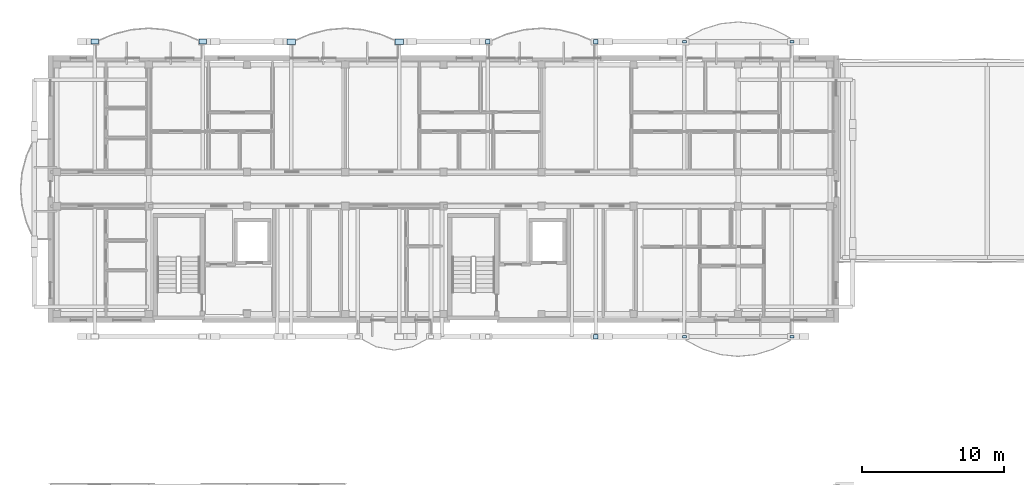
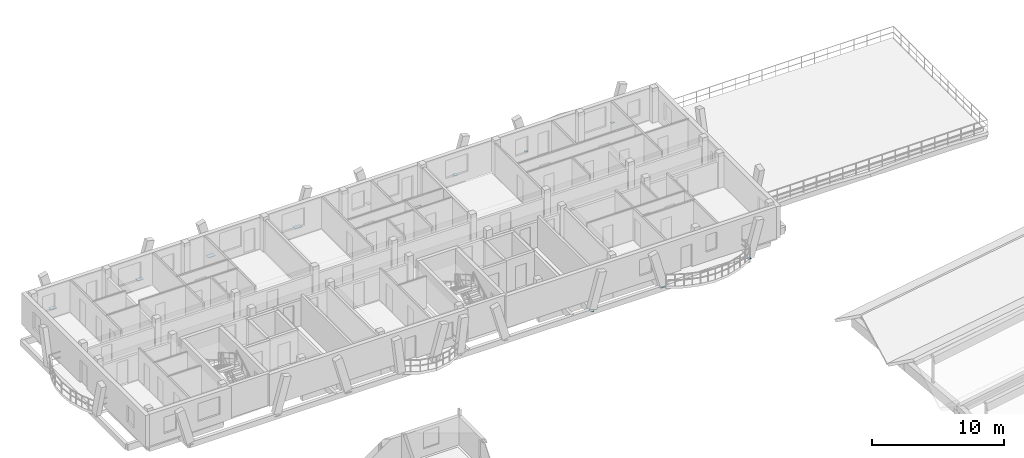
# One storey, part 60 of 109: 11 plates.
"""IFC4 building model written with IfcOpenShell, lengths in metres."""

from ifc_helpers import new_model, si_unit, direction, frame, origin, origin_2d, place, context, subcontext, project, spatial, rectangle, extrude, material, layer, layer_set, type_object, element, save


model = new_model("IFC4")

# Units and contexts
model_context = context("Model", 3, precision=1e-05, world=origin(), true_north=direction((0.0, 1.0)))
body_context = subcontext(model_context, "Body", "Model", "MODEL_VIEW")
ifc_project = project(units=[si_unit("LENGTHUNIT", "METRE"), si_unit("AREAUNIT", "SQUARE_METRE"), si_unit("VOLUMEUNIT", "CUBIC_METRE"), si_unit("PLANEANGLEUNIT", "RADIAN"), si_unit("MASSUNIT", "GRAM", prefix="KILO")], contexts=[model_context])

# Site, building, storey
site_placement = place(None, origin())
site = spatial("IfcSite", under=ifc_project, at=site_placement, CompositionType="ELEMENT")
building_placement = place(site_placement, origin())
building = spatial("IfcBuilding", under=site, at=building_placement, Name="Zavelmont Quarter", CompositionType="ELEMENT")
storey_placement = place(building_placement, frame((0.0, 0.0, 8.0)))
storey = spatial("IfcBuildingStorey", under=building, at=storey_placement, Name="L02", CompositionType="ELEMENT", Elevation=8.0)

# Plates
ifc_material = material(Name="Steel S355", Category="steel")
ifc_layer_1 = layer(ifc_material, 0.02001953125)
ifc_layer_set_1 = layer_set([ifc_layer_1], Name="Steel S355")
plate_type_1 = type_object("IfcPlateType", Name="NP01", PredefinedType="SHEET", material=ifc_layer_set_1)
for number, where, z_axis, x_axis, name in (
    (1, (44.525634765625, 117.162109375, -0.2099609375), (0.0, 0.0, 1.0), (1.0, 0.0, 0.0), "L02 steel connection plate NP01 at 7/S"),
    (2, (52.07421875, 117.162109375, -0.2099609375), (0.0, 0.0, 1.0), (1.0, 0.0, 0.0), "L02 steel connection plate NP01 at 9/S"),
    (3, (44.525634765625, 96.43798828125, -0.2099609375), (0.0, 0.0, 1.0), (1.0, 0.0, 0.0), "L02 steel connection plate NP01 at 7/P"),
    (4, (52.07421875, 96.43798828125, -0.2099609375), (0.0, 0.0, 1.0), (1.0, 0.0, 0.0), "L02 steel connection plate NP01 at 9/P"),
):
    element("IfcPlate", number, at=place(storey_placement, frame(where, z_axis=z_axis, x_axis=x_axis)), inside=storey, type_object=plate_type_1, Name=name, PredefinedType="SHEET", context=body_context, shape_type="SweptSolid", body=[
        extrude(rectangle(XDim=0.280029296875, YDim=0.179931640625, at=origin_2d()), origin(), (0.0, 0.0, 1.0), 0.02001953125),
    ])
ifc_layer_2 = layer(ifc_material, 0.028076171875)
ifc_layer_set_2 = layer_set([ifc_layer_2], Name="Steel S355")
plate_type_2 = type_object("IfcPlateType", Name="NP04", PredefinedType="SHEET", material=ifc_layer_set_2)
for number, where, z_axis, x_axis, name in (
    (5, (3.103759765625, 117.162109375, -0.2138671875), (0.0, 0.0, 1.0), (1.0, 0.0, 0.0), "L02 steel connection plate NP04 at 1/S"),
    (6, (10.6962890625, 117.162109375, -0.2138671875), (0.0, 0.0, 1.0), (1.0, 0.0, 0.0), "L02 steel connection plate NP04 at 3/S"),
):
    element("IfcPlate", number, at=place(storey_placement, frame(where, z_axis=z_axis, x_axis=x_axis)), inside=storey, type_object=plate_type_2, Name=name, PredefinedType="SHEET", context=body_context, shape_type="SweptSolid", body=[
        extrude(rectangle(XDim=0.52001953125, YDim=0.360107421875, at=origin_2d()), origin(), (0.0, 0.0, 1.0), 0.028076171875),
    ])
ifc_layer_3 = layer(ifc_material, 0.030029296875)
ifc_layer_set_3 = layer_set([ifc_layer_3], Name="Steel S355")
plate_type_3 = type_object("IfcPlateType", Name="NP05", PredefinedType="SHEET", material=ifc_layer_set_3)
for number, where, z_axis, x_axis, name in (
    (7, (16.90380859375, 117.162109375, -0.21484375), (0.0, 0.0, 1.0), (1.0, 0.0, 0.0), "L02 steel connection plate NP05 at 3/S"),
    (8, (24.49609375, 117.162109375, -0.21484375), (0.0, 0.0, 1.0), (1.0, 0.0, 0.0), "L02 steel connection plate NP05 at 5/S"),
):
    element("IfcPlate", number, at=place(storey_placement, frame(where, z_axis=z_axis, x_axis=x_axis)), inside=storey, type_object=plate_type_3, Name=name, PredefinedType="SHEET", context=body_context, shape_type="SweptSolid", body=[
        extrude(rectangle(XDim=0.60009765625, YDim=0.39990234375, at=origin_2d()), origin(), (0.0, 0.0, 1.0), 0.030029296875),
    ])
ifc_layer_4 = layer(ifc_material, 0.02197265625)
ifc_layer_set_4 = layer_set([ifc_layer_4], Name="Steel S355")
plate_type_4 = type_object("IfcPlateType", Name="NP06", PredefinedType="SHEET", material=ifc_layer_set_4)
for number, where, z_axis, x_axis, name in (
    (9, (30.703857421875, 117.162109375, -0.2109375), (0.0, 0.0, 1.0), (1.0, 0.0, 0.0), "L02 steel connection plate NP06 at 5/S"),
    (10, (38.296142578125, 117.162109375, -0.2109375), (0.0, 0.0, 1.0), (1.0, 0.0, 0.0), "L02 steel connection plate NP06 at 7/S"),
    (11, (38.296142578125, 96.43798828125, -0.2109375), (0.0, 0.0, 1.0), (1.0, 0.0, 0.0), "L02 steel connection plate NP06 at 7/P"),
):
    element("IfcPlate", number, at=place(storey_placement, frame(where, z_axis=z_axis, x_axis=x_axis)), inside=storey, type_object=plate_type_4, Name=name, PredefinedType="SHEET", context=body_context, shape_type="SweptSolid", body=[
        extrude(rectangle(XDim=0.320068359375, YDim=0.320068359375, at=origin_2d()), origin(), (0.0, 0.0, 1.0), 0.02197265625),
    ])

save(model, "model.ifc")
